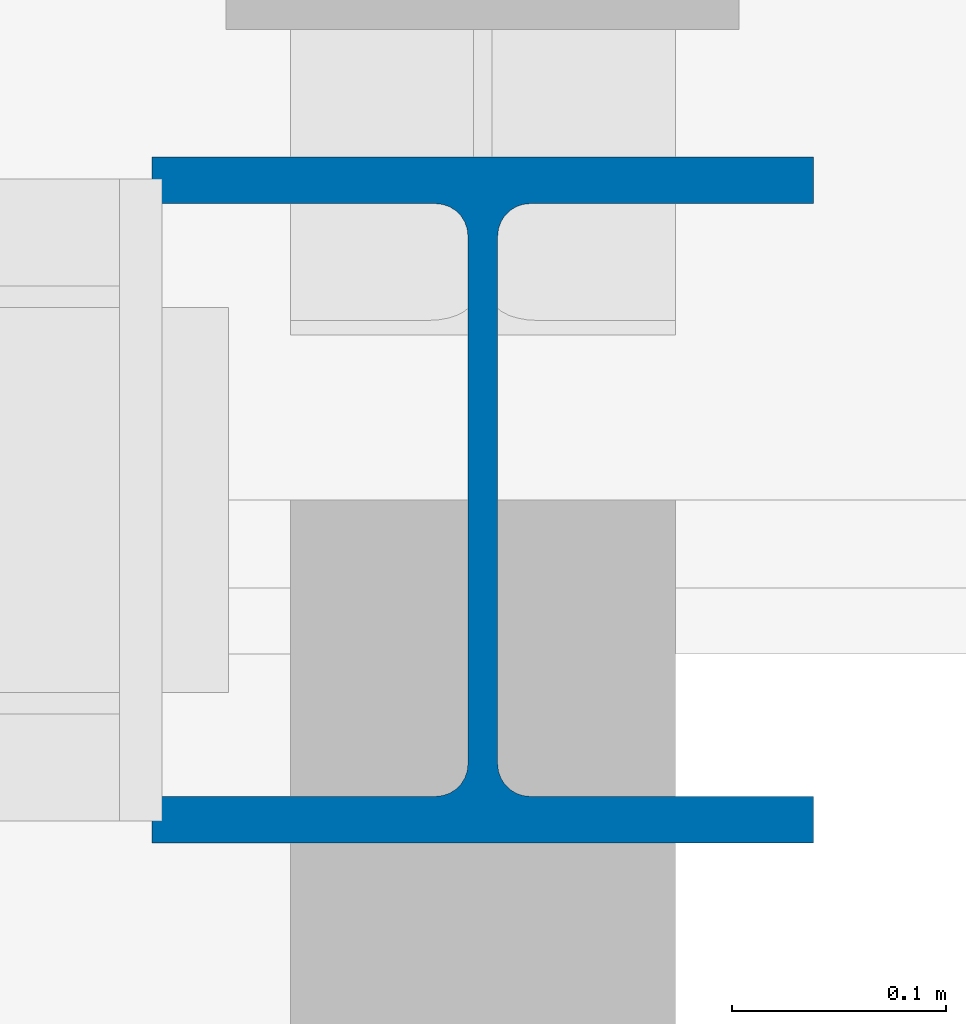
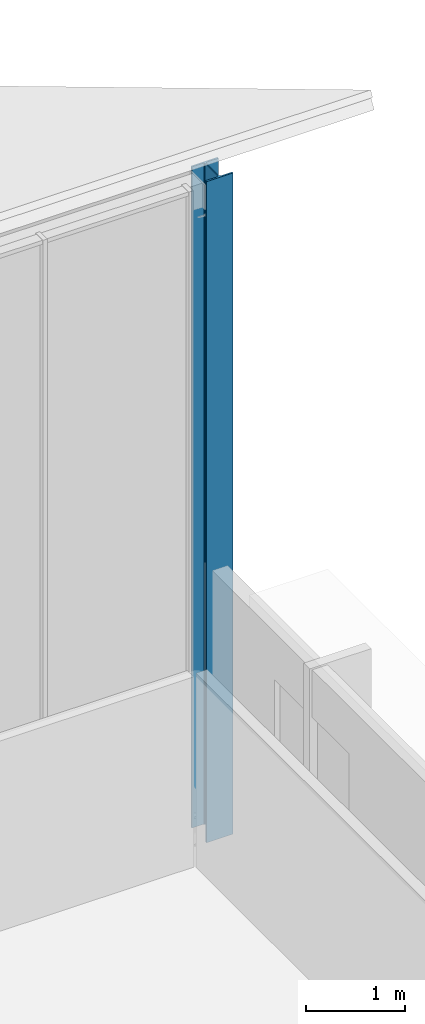
# One storey, part 3 of 155: 1 column.
"""IFC4 building model written with IfcOpenShell, lengths in metres."""

from ifc_helpers import new_model, si_unit, direction, frame, origin, origin_2d, place, context, subcontext, project, spatial, i_section, extrude, material, material_profile, profile_set, type_object, element, save


model = new_model("IFC4")

# Units and contexts
model_context = context("Model", 3, precision=1e-05, world=origin(), true_north=direction((0.0, 1.0)))
body_context = subcontext(model_context, "Body", "Model", "MODEL_VIEW")
ifc_project = project(units=[si_unit("LENGTHUNIT", "METRE"), si_unit("AREAUNIT", "SQUARE_METRE"), si_unit("VOLUMEUNIT", "CUBIC_METRE"), si_unit("PLANEANGLEUNIT", "RADIAN"), si_unit("MASSUNIT", "GRAM", prefix="KILO")], contexts=[model_context])

# Site, building, storey
site_placement = place(None, origin())
site = spatial("IfcSite", under=ifc_project, at=site_placement, CompositionType="ELEMENT")
building_placement = place(site_placement, origin())
building = spatial("IfcBuilding", under=site, at=building_placement, Name="Larkveld Mobility Hub", CompositionType="ELEMENT")
storey_placement = place(building_placement, frame((0.0, 0.0, 8.39990234375)))
storey = spatial("IfcBuildingStorey", under=building, at=storey_placement, Name="L02", CompositionType="ELEMENT", Elevation=8.39990234375)

# Column
ifc_material = material(Name="Steel S355JR", Category="steel")
ifc_material_profile = material_profile(ifc_material, i_section(OverallWidth=0.30908203125, OverallDepth=0.320556640625, WebThickness=0.013916015625, FlangeThickness=0.021728515625, FilletRadius=0.01513671875, at=origin_2d()), Name="UC 305x305x137")
ifc_profile_set = profile_set([ifc_material_profile], Name="Steel S355JR")
column_type = type_object("IfcColumnType", Name="CL-STUC305", PredefinedType="COLUMN", material=ifc_profile_set)
column_placement = place(storey_placement, frame((184.0, 28.0, 0.0), z_axis=(0.0, 0.0, 1.0), x_axis=(1.0, 0.0, 0.0)))
element("IfcColumn", 1, at=column_placement, inside=storey, type_object=column_type, Name="Sawtooth Clerestory Truss Post B1-E", PredefinedType="COLUMN", context=body_context, shape_type="SweptSolid", body=[
    extrude(i_section(OverallWidth=0.30908203125, OverallDepth=0.320556640625, WebThickness=0.013916015625, FlangeThickness=0.021728515625, FilletRadius=0.01513671875, at=origin_2d()), origin(), (0.0, 0.0, 1.0), 8.150146484375),
])

save(model, "model.ifc")
